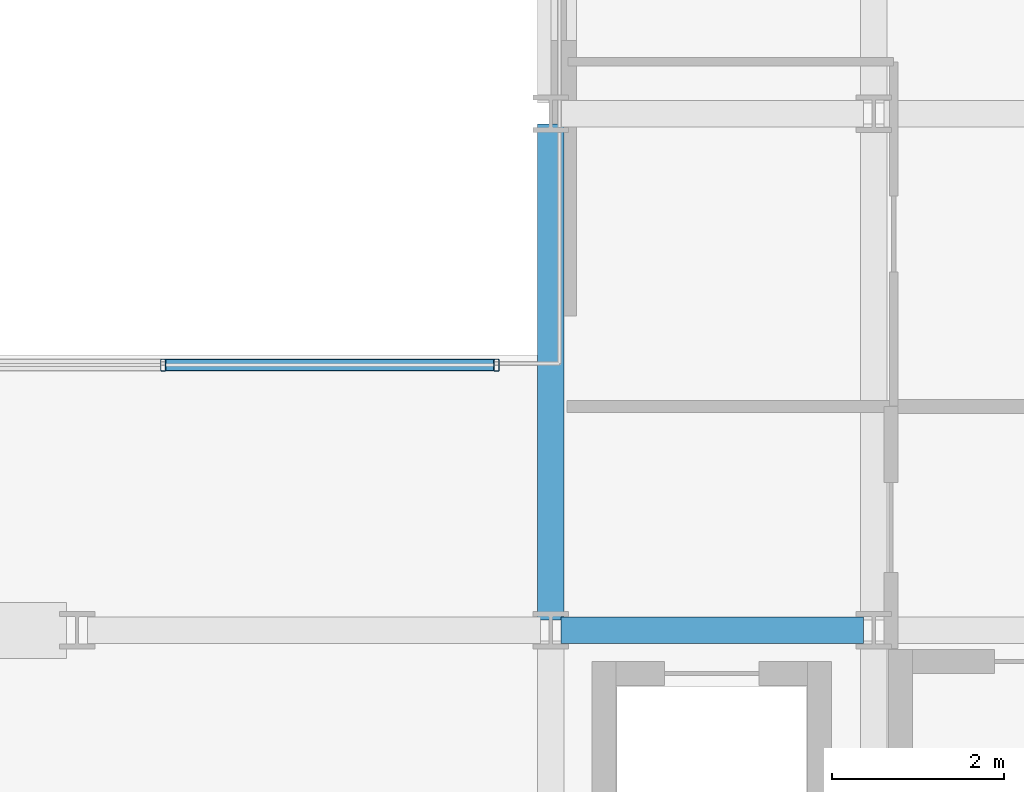
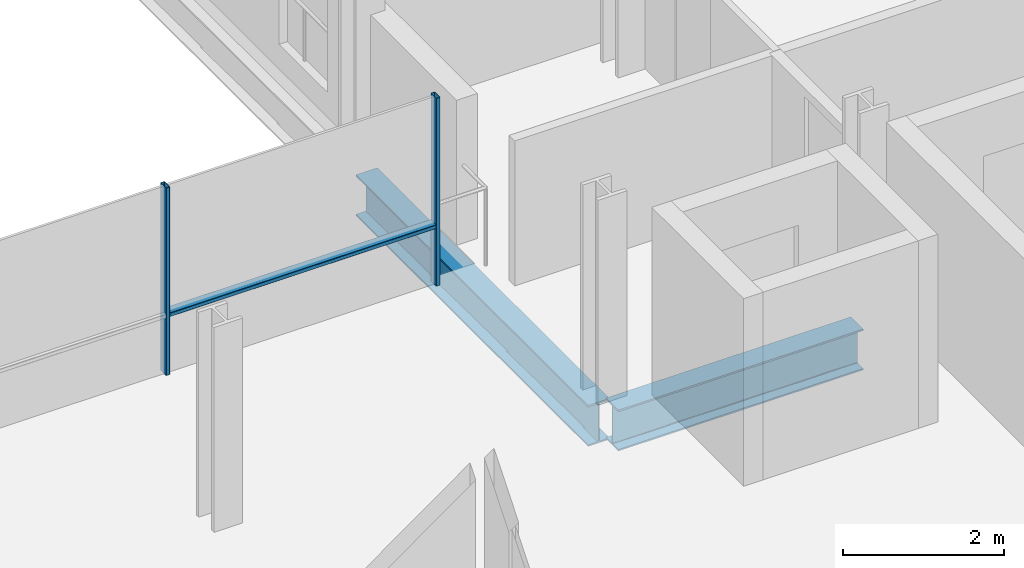
# One storey, part 13 of 41: 3 members, 2 beams, 1 element without a shape of its own.
"""IFC4 building model written with IfcOpenShell, lengths in metres."""

from ifc_helpers import new_model, si_unit, direction, frame, origin, origin_2d, place, context, subcontext, project, spatial, hollow_rectangle, i_section, extrude, material, layer, layer_set, material_profile, profile_set, type_object, element, aggregate, save


model = new_model("IFC4")

# Units and contexts
model_context = context("Model", 3, precision=1e-05, world=origin(), true_north=direction((0.0, 1.0)))
body_context = subcontext(model_context, "Body", "Model", "MODEL_VIEW")
ifc_project = project(units=[si_unit("LENGTHUNIT", "METRE"), si_unit("AREAUNIT", "SQUARE_METRE"), si_unit("VOLUMEUNIT", "CUBIC_METRE"), si_unit("PLANEANGLEUNIT", "RADIAN"), si_unit("MASSUNIT", "GRAM", prefix="KILO")], contexts=[model_context])

# Site, building, storey
site_placement = place(None, origin())
site = spatial("IfcSite", under=ifc_project, at=site_placement, CompositionType="ELEMENT")
building_placement = place(site_placement, origin())
building = spatial("IfcBuilding", under=site, at=building_placement, Name="Brevholm Reach", CompositionType="ELEMENT")
storey_placement = place(building_placement, frame((0.0, 0.0, 93.10009765625)))
storey = spatial("IfcBuildingStorey", under=building, at=storey_placement, Name="L27", CompositionType="ELEMENT", Elevation=93.10009765625)

# Beams
ifc_material_1 = material(Name="Structural Steel S355J2", Category="steel")
ifc_material_profile_1 = material_profile(ifc_material_1, i_section(OverallWidth=0.30712890625, OverallDepth=0.6201171875, WebThickness=0.01416015625, FlangeThickness=0.023681640625, FilletRadius=0.0166015625, at=origin_2d()), Name="UKB 610x305x179")
ifc_profile_set_1 = profile_set([ifc_material_profile_1], Name="Structural Steel S355J2")
beam_type = type_object("IfcBeamType", Name="BM-UKB610H", PredefinedType="USERDEFINED", material=ifc_profile_set_1)
beam_1_placement = place(storey_placement, frame((38.3701171875, 10.0, -0.540283203125), z_axis=(1.0, 0.0, 0.0), x_axis=(0.0, 1.0, 0.0)))
element("IfcBeam", 1, at=beam_1_placement, inside=storey, type_object=beam_type, Name="L27 G-06 Framing Beam", ObjectType="GIRDER", PredefinedType="USERDEFINED", context=body_context, shape_type="SweptSolid", body=[
    extrude(i_section(OverallWidth=0.30712890625, OverallDepth=0.6201171875, WebThickness=0.01416015625, FlangeThickness=0.023681640625, FilletRadius=0.0166015625, at=origin_2d()), origin(), (0.0, 0.0, 1.0), 3.509765625),
])
beam_2_placement = place(storey_placement, frame((38.25, 10.1201171875, -0.540283203125), z_axis=(0.0, 1.0, 0.0), x_axis=(-1.0, 0.0, 0.0)))
element("IfcBeam", 2, at=beam_2_placement, inside=storey, type_object=beam_type, Name="L27 G-06 Framing Beam", ObjectType="GIRDER", PredefinedType="USERDEFINED", context=body_context, shape_type="SweptSolid", body=[
    extrude(i_section(OverallWidth=0.30712890625, OverallDepth=0.6201171875, WebThickness=0.01416015625, FlangeThickness=0.023681640625, FilletRadius=0.0166015625, at=origin_2d()), origin(), (0.0, 0.0, 1.0), 5.759765625),
])

# Curtain wall, members
ifc_material_2 = material(Name="Dark Anodised Aluminium 6063-T6 and Solar-Control Glass", Category="aluminium")
ifc_layer = layer(ifc_material_2, 0.139892578125)
ifc_layer_set = layer_set([ifc_layer], Name="Dark Anodised Aluminium 6063-T6 and Solar-Control Glass")
curtain_wall_type = type_object("IfcCurtainWallType", Name="CW-02", PredefinedType="NOTDEFINED", material=ifc_layer_set)
curtain_wall_placement = place(storey_placement, origin())
curtain_wall = element("IfcCurtainWall", 3, at=curtain_wall_placement, inside=storey, type_object=curtain_wall_type, Name="L27 Curtain Wall CW-02", PredefinedType="NOTDEFINED")
ifc_material_3 = material(Name="Dark Anodised Aluminium 6063-T6", Category="aluminium")
ifc_material_profile_2 = material_profile(ifc_material_3, hollow_rectangle(XDim=0.06005859375, YDim=0.139892578125, WallThickness=0.0048828125, InnerFilletRadius=0.0048828125, OuterFilletRadius=0.010009765625, at=origin_2d()), Name="RHS 140x60x5")
ifc_profile_set_2 = profile_set([ifc_material_profile_2], Name="Dark Anodised Aluminium 6063-T6")
member_type_1 = type_object("IfcMemberType", Name="CWM-140", PredefinedType="MULLION", material=ifc_profile_set_2)
member_1_placement = place(storey_placement, frame((33.75, 13.080078125, 0.0), z_axis=(0.0, 0.0, 1.0), x_axis=(1.0, 0.0, 0.0)))
member_1 = element("IfcMember", 4, at=member_1_placement, type_object=member_type_1, Name="CM-140 Mullion 4", PredefinedType="MULLION", context=body_context, shape_type="SweptSolid", body=[
    extrude(hollow_rectangle(XDim=0.06005859375, YDim=0.139892578125, WallThickness=0.0048828125, InnerFilletRadius=0.0048828125, OuterFilletRadius=0.010009765625, at=origin_2d()), origin(), (0.0, 0.0, 1.0), 2.83984375),
])
member_2_placement = place(storey_placement, frame((37.6201171875, 13.080078125, 0.0), z_axis=(0.0, 0.0, 1.0), x_axis=(1.0, 0.0, 0.0)))
member_2 = element("IfcMember", 5, at=member_2_placement, type_object=member_type_1, Name="CM-140 Mullion 5", PredefinedType="MULLION", context=body_context, shape_type="SweptSolid", body=[
    extrude(hollow_rectangle(XDim=0.06005859375, YDim=0.139892578125, WallThickness=0.0048828125, InnerFilletRadius=0.0048828125, OuterFilletRadius=0.010009765625, at=origin_2d()), origin(), (0.0, 0.0, 1.0), 2.83984375),
])
ifc_material_4 = material(Name="Dark Anodised Aluminium 6063-T6", Category="aluminium")
ifc_material_profile_3 = material_profile(ifc_material_4, hollow_rectangle(XDim=0.06005859375, YDim=0.139892578125, WallThickness=0.0048828125, InnerFilletRadius=0.0048828125, OuterFilletRadius=0.010009765625, at=origin_2d()), Name="RHS 140x60x5")
ifc_profile_set_3 = profile_set([ifc_material_profile_3], Name="Dark Anodised Aluminium 6063-T6")
member_type_2 = type_object("IfcMemberType", Name="CWT-140", PredefinedType="NOTDEFINED", material=ifc_profile_set_3)
member_3_placement = place(storey_placement, frame((33.780029296875, 13.080078125, 0.89990234375), z_axis=(1.0, 0.0, 0.0), x_axis=(0.0, 0.0, 1.0)))
member_3 = element("IfcMember", 6, at=member_3_placement, type_object=member_type_2, Name="CT-140 Transom 4.1", ObjectType="TRANSOM", PredefinedType="USERDEFINED", context=body_context, shape_type="SweptSolid", body=[
    extrude(hollow_rectangle(XDim=0.06005859375, YDim=0.139892578125, WallThickness=0.0048828125, InnerFilletRadius=0.0048828125, OuterFilletRadius=0.010009765625, at=origin_2d()), origin(), (0.0, 0.0, 1.0), 3.81005859375),
])
aggregate(curtain_wall, [member_1, member_2, member_3])

save(model, "model.ifc")
